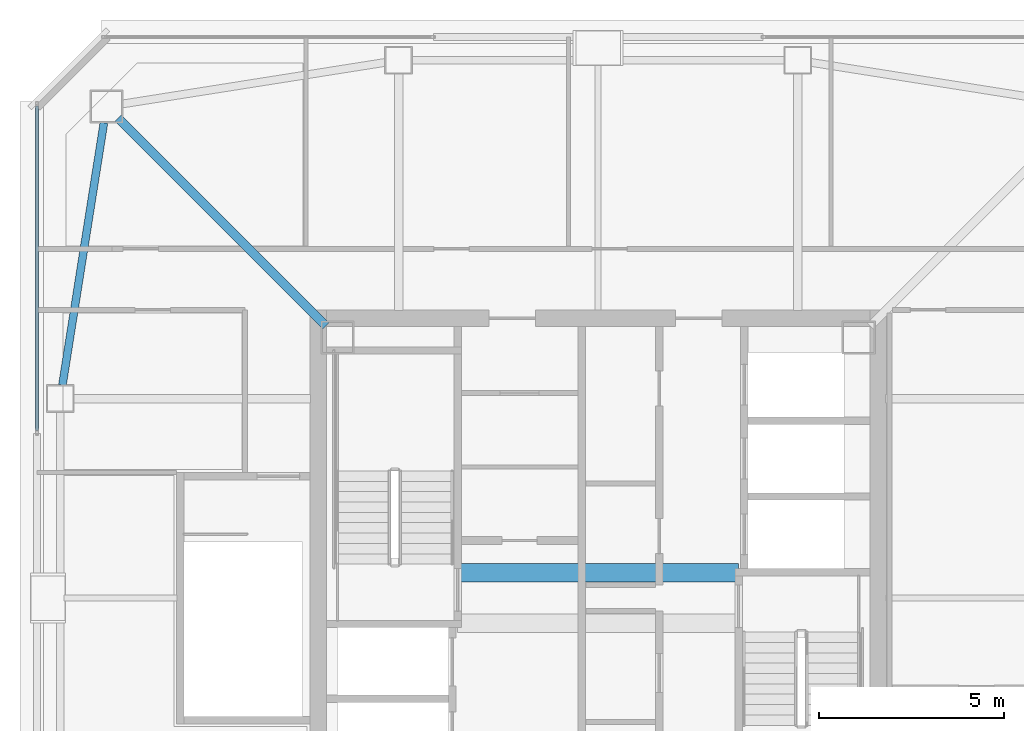
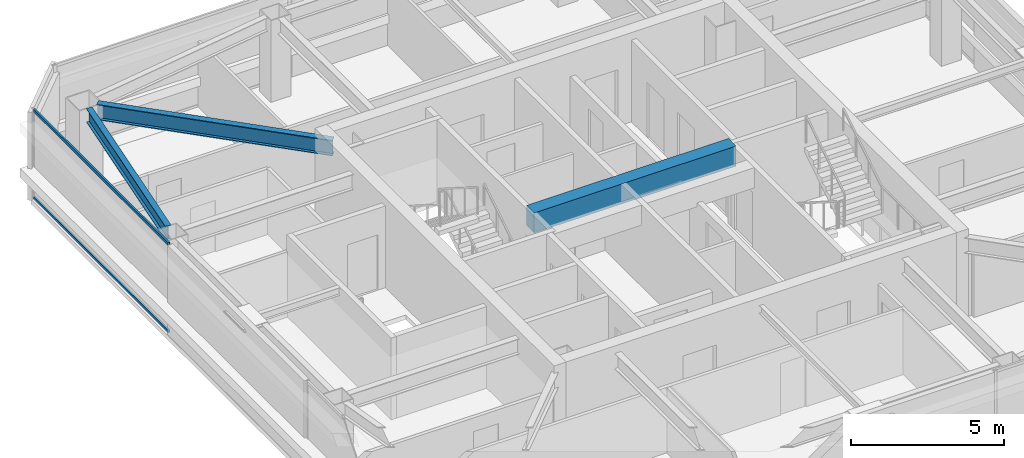
# One storey, part 9 of 18: 3 beams, 2 members, 1 element without a shape of its own.
"""IFC4 building model written with IfcOpenShell, lengths in metres."""

import ifcopenshell
import ifcopenshell.guid

model = None  # the IFC model being written
_history = None  # IfcOwnerHistory: only IFC2X3 demands one
_inside = {}  # id of a spatial element -> (the spatial element, [elements in it])
_under = {}  # id of a project, library or spatial element -> (it, [spatial elements below it])
_declared = {}  # id of a project -> (the project, [libraries it declares])
_typed = {}  # id of a type object -> (the type object, [elements of that type])
_made_of = {}  # id of a material, layer set ... -> (it, [elements and type objects made of it])


def new_model(schema):
    """Start an empty IFC model of exactly this schema.

    Asked for "IFC4X3", IfcOpenShell would pick the latest addendum, in which some entities
    have other attributes; the version numbers below select the first issue.
    IFC2X3 requires an IfcOwnerHistory on every rooted entity: one is made here for all.
    """
    global model, _history
    if schema == "IFC4X3":
        model = ifcopenshell.file(schema_version=(4, 3, 0, 0))
    else:
        model = ifcopenshell.file(schema=schema)
    _inside.clear()
    _under.clear()
    _declared.clear()
    _typed.clear()
    _made_of.clear()
    _history = None
    if model.schema == "IFC2X3":
        org = make("IfcOrganization", Name="unknown")
        user = make(
            "IfcPersonAndOrganization",
            ThePerson=make("IfcPerson", FamilyName="unknown"),
            TheOrganization=org,
        )
        app = make(
            "IfcApplication",
            ApplicationDeveloper=org,
            Version="unknown",
            ApplicationFullName="unknown",
            ApplicationIdentifier="unknown",
        )
        _history = make(
            "IfcOwnerHistory",
            OwningUser=user,
            OwningApplication=app,
            ChangeAction="ADDED",
            CreationDate=0,
        )
    return model


def make(cls, **values):
    """One entity of the class cls with the attributes given. An attribute that is None is left unset."""
    return model.create_entity(
        cls, **{name: value for name, value in values.items() if value is not None}
    )


def rooted(cls, **values):
    """An entity with a GlobalId (a new one), such as an element, a storey or a relation."""
    return make(cls, GlobalId=ifcopenshell.guid.new(), OwnerHistory=_history, **values)


def si_unit(unit_type, name, prefix=None):
    """IfcSIUnit, for example si_unit("LENGTHUNIT", "METRE", prefix="MILLI")."""
    return make("IfcSIUnit", UnitType=unit_type, Prefix=prefix, Name=name)


def assignment(units):
    """IfcUnitAssignment: the units of a project."""
    return None if units is None else make("IfcUnitAssignment", Units=units)


def point(xyz):
    """IfcCartesianPoint."""
    return None if xyz is None else make("IfcCartesianPoint", Coordinates=xyz)


def direction(xyz):
    """IfcDirection."""
    return None if xyz is None else make("IfcDirection", DirectionRatios=xyz)


def frame(location, z_axis=None, x_axis=None):
    """IfcAxis2Placement3D, a coordinate frame: its origin and axes. An axis left out is left unset."""
    return make(
        "IfcAxis2Placement3D",
        Location=point(location),
        Axis=direction(z_axis),
        RefDirection=direction(x_axis),
    )


def frame_2d(location, x_axis=None):
    """IfcAxis2Placement2D, a coordinate frame in the plane: its origin and x axis."""
    return make(
        "IfcAxis2Placement2D", Location=point(location), RefDirection=direction(x_axis)
    )


def origin():
    """The frame at (0, 0, 0) with its axes left unset."""
    return frame((0.0, 0.0, 0.0))


def origin_2d():
    """The frame at (0, 0) in the plane with its x axis left unset."""
    return frame_2d((0.0, 0.0))


def place(relative_to, where):
    """IfcLocalPlacement: puts the frame where relative to a parent placement (None: the world)."""
    return make(
        "IfcLocalPlacement", PlacementRelTo=relative_to, RelativePlacement=where
    )


def context(
    kind, dimensions, precision=None, world=None, true_north=None, identifier=None
):
    """IfcGeometricRepresentationContext, for example the 3D "Model" context."""
    return make(
        "IfcGeometricRepresentationContext",
        ContextIdentifier=identifier,
        ContextType=kind,
        CoordinateSpaceDimension=dimensions,
        Precision=precision,
        WorldCoordinateSystem=world,
        TrueNorth=true_north,
    )


def subcontext(parent, identifier, kind, view, scale=None):
    """IfcGeometricRepresentationSubContext, for example "Body" below "Model"."""
    return make(
        "IfcGeometricRepresentationSubContext",
        ContextIdentifier=identifier,
        ContextType=kind,
        ParentContext=parent,
        TargetScale=scale,
        TargetView=view,
    )


def project(units=None, contexts=None):
    """IfcProject with its units and contexts."""
    return rooted(
        "IfcProject",
        Name="project",
        RepresentationContexts=contexts,
        UnitsInContext=assignment(units),
    )


def spatial(cls, under=None, at=None, **own):
    """A site, building, storey or space (cls), placed at a placement, below another one or the project."""
    s = rooted(cls, ObjectPlacement=at, **own)
    if under is not None:
        _under.setdefault(under.id(), (under, []))[1].append(s)
    return s


def profile(cls, at=None, kind="AREA", **sizes):
    """A parametric profile (cls). Its sizes go by their IFC names, for example OverallWidth=200.0."""
    return make(cls, ProfileType=kind, Position=at, **sizes)


def rectangle(**sizes):
    """IfcRectangleProfileDef."""
    return profile("IfcRectangleProfileDef", **sizes)


def hollow_rectangle(**sizes):
    """IfcRectangleHollowProfileDef."""
    return profile("IfcRectangleHollowProfileDef", **sizes)


def i_section(**sizes):
    """IfcIShapeProfileDef."""
    return profile("IfcIShapeProfileDef", **sizes)


def extrude(swept, where, along, depth):
    """IfcExtrudedAreaSolid: the profile swept, set in the frame where, extruded along a direction by depth."""
    return make(
        "IfcExtrudedAreaSolid",
        SweptArea=swept,
        Position=where,
        ExtrudedDirection=direction(along),
        Depth=depth,
    )


def shape(context_of_items, identifier, shape_type, items):
    """IfcShapeRepresentation: the items that make up one representation, for example the "Body"."""
    return make(
        "IfcShapeRepresentation",
        ContextOfItems=context_of_items,
        RepresentationIdentifier=identifier,
        RepresentationType=shape_type,
        Items=items,
    )


def material(Name=None, Category=None):
    """IfcMaterial."""
    return make("IfcMaterial", Name=Name, Category=Category)


def material_profile(
    of_material, cross_section, Name=None, Category=None, Priority=None
):
    """IfcMaterialProfile: a cross section and its material."""
    return make(
        "IfcMaterialProfile",
        Name=Name,
        Material=of_material,
        Profile=cross_section,
        Priority=Priority,
        Category=Category,
    )


def profile_set(profiles, Name=None, composite=None):
    """IfcMaterialProfileSet."""
    return make(
        "IfcMaterialProfileSet",
        Name=Name,
        MaterialProfiles=profiles,
        CompositeProfile=composite,
    )


def made_of(thing, what):
    """Note that an element or type object is made of a material, layer set ...; save() writes the relation."""
    if what is not None:
        _made_of.setdefault(what.id(), (what, []))[1].append(thing)
    return thing


def type_object(cls, material=None, **own):
    """A type object (cls), such as IfcWallType, which elements share."""
    return made_of(rooted(cls, **own), material)


def element(
    cls,
    number,
    at=None,
    inside=None,
    cuts=None,
    type_object=None,
    material=None,
    context=None,
    identifier="Body",
    shape_type=None,
    held_by="IfcProductDefinitionShape",
    body=None,
    shapes=None,
    **own,
):
    """One element of the class cls, such as IfcWall. Its Tag is "e" and its number.

    at: its placement. inside: the storey or other place that contains it. cuts: it is an
    opening in that element (IfcRelVoidsElement). A single representation is given by context,
    identifier, shape_type and body (its items); several are given by shapes. held_by: the class
    of the entity that holds the representations. save() writes the other relations.
    """
    e = rooted(cls, Tag="e%d" % number, ObjectPlacement=at, **own)
    if body is not None:
        shapes = [shape(context, identifier, shape_type, body)]
    if shapes is not None:
        e.Representation = make(held_by, Representations=shapes)
    if inside is not None:
        _inside.setdefault(inside.id(), (inside, []))[1].append(e)
    if cuts is not None:
        rooted(
            "IfcRelVoidsElement", RelatingBuildingElement=cuts, RelatedOpeningElement=e
        )
    if type_object is not None:
        _typed.setdefault(type_object.id(), (type_object, []))[1].append(e)
    return made_of(e, material)


def aggregate(whole, parts):
    """IfcRelAggregates: a whole, such as a stair, and the parts it consists of."""
    return rooted("IfcRelAggregates", RelatingObject=whole, RelatedObjects=parts)


def save(model, path):
    """Write the relations noted so far, then the file.

    IfcRelAggregates (storeys below a building ...), IfcRelContainedInSpatialStructure (elements
    in a storey), IfcRelDefinesByType, IfcRelAssociatesMaterial and IfcRelDeclares: one each for
    every whole, place, type object, material and project.
    """
    for whole, parts in _under.values():
        aggregate(whole, parts)
    for where, things in _inside.values():
        rooted(
            "IfcRelContainedInSpatialStructure",
            RelatedElements=things,
            RelatingStructure=where,
        )
    for kind, things in _typed.values():
        rooted("IfcRelDefinesByType", RelatedObjects=things, RelatingType=kind)
    for what, things in _made_of.values():
        rooted("IfcRelAssociatesMaterial", RelatedObjects=things, RelatingMaterial=what)
    for by, libraries in _declared.values():
        rooted("IfcRelDeclares", RelatingContext=by, RelatedDefinitions=libraries)
    model.write(path)


model = new_model("IFC4")

# Units and contexts
model_context = context("Model", 3, precision=1e-05, world=origin(), true_north=direction((0.0, 1.0)))
body_context = subcontext(model_context, "Body", "Model", "MODEL_VIEW")
ifc_project = project(units=[si_unit("LENGTHUNIT", "METRE"), si_unit("AREAUNIT", "SQUARE_METRE"), si_unit("VOLUMEUNIT", "CUBIC_METRE"), si_unit("PLANEANGLEUNIT", "RADIAN"), si_unit("MASSUNIT", "GRAM", prefix="KILO")], contexts=[model_context])

# Site, building, storey
site_placement = place(None, origin())
site = spatial("IfcSite", under=ifc_project, at=site_placement, CompositionType="ELEMENT")
building_placement = place(site_placement, origin())
building = spatial("IfcBuilding", under=site, at=building_placement, Name="Tashvorn Skyway Center", CompositionType="ELEMENT")
storey_placement = place(building_placement, frame((0.0, 0.0, 274.050048828125)))
storey = spatial("IfcBuildingStorey", under=building, at=storey_placement, Name="L74", CompositionType="ELEMENT", Elevation=274.050048828125)

# Beams
ifc_material_1 = material(Name="Steel ASTM A992 Grade 50", Category="steel")
ifc_material_profile_1 = material_profile(ifc_material_1, i_section(OverallWidth=0.22998046875, OverallDepth=0.616943359375, WebThickness=0.01318359375, FlangeThickness=0.022216796875, at=origin_2d()), Name="W24X94")
ifc_profile_set_1 = profile_set([ifc_material_profile_1], Name="Steel ASTM A992 Grade 50")
beam_type_1 = type_object("IfcBeamType", Name="BM-BEAM-W24X94", PredefinedType="BEAM", material=ifc_profile_set_1)
beam_1_placement = place(storey_placement, frame((29.0146484375, 44.9853515625, 2.94140625), z_axis=(0.707106781187, -0.707106781187, 0.0), x_axis=(0.707106781187, 0.707106781187, 0.0)))
element("IfcBeam", 1, at=beam_1_placement, inside=storey, type_object=beam_type_1, Name="Tower 1 L74 Primary Floor Girder MC-NW", PredefinedType="BEAM", context=body_context, shape_type="SweptSolid", body=[
    extrude(i_section(OverallWidth=0.22998046875, OverallDepth=0.616943359375, WebThickness=0.01318359375, FlangeThickness=0.022216796875, at=origin_2d()), origin(), (0.0, 0.0, 1.0), 7.94873046875),
])
ifc_material_2 = material(Name="Concrete C50/60", Category="concrete")
ifc_material_profile_2 = material_profile(ifc_material_2, rectangle(XDim=0.5, YDim=0.800048828125, at=origin_2d()), Name="RCB500x800")
ifc_profile_set_2 = profile_set([ifc_material_profile_2], Name="Concrete C50/60")
beam_type_2 = type_object("IfcBeamType", Name="BM-LINTEL-RCB500x800", PredefinedType="LINTEL", material=ifc_profile_set_2)
beam_2_placement = place(storey_placement, frame((38.199951171875, 32.679931640625, 2.849853515625), z_axis=(1.0, 0.0, 0.0), x_axis=(0.0, 1.0, 0.0)))
element("IfcBeam", 2, at=beam_2_placement, inside=storey, type_object=beam_type_2, Name="Tower 1 L74 Core Coupling Beam CN", PredefinedType="LINTEL", context=body_context, shape_type="SweptSolid", body=[
    extrude(rectangle(XDim=0.5, YDim=0.800048828125, at=origin_2d()), origin(), (0.0, 0.0, 1.0), 7.60009765625),
])
ifc_material_profile_3 = material_profile(ifc_material_1, i_section(OverallWidth=0.2109375, OverallDepth=0.5390625, WebThickness=0.01171875, FlangeThickness=0.018798828125, at=origin_2d()), Name="W21X73")
ifc_profile_set_3 = profile_set([ifc_material_profile_3], Name="Steel ASTM A992 Grade 50")
beam_type_3 = type_object("IfcBeamType", Name="BM-SPANDREL-W21X73", PredefinedType="SPANDREL", material=ifc_profile_set_3)
beam_3_placement = place(storey_placement, frame((28.63037109375, 44.8603515625, 2.98046875), z_axis=(-0.156274976, -0.987713587978, 0.0), x_axis=(0.987713587978, -0.156274976, 0.0)))
element("IfcBeam", 3, at=beam_3_placement, inside=storey, type_object=beam_type_3, Name="Tower 1 L74 Spandrel Beam 10", PredefinedType="SPANDREL", context=body_context, shape_type="SweptSolid", body=[
    extrude(i_section(OverallWidth=0.2109375, OverallDepth=0.5390625, WebThickness=0.01171875, FlangeThickness=0.018798828125, at=origin_2d()), origin(), (0.0, 0.0, 1.0), 7.18310546875),
])

# Curtain wall, members
ifc_material_3 = material(Name="Thermally broken bronze-anodized aluminium 6063-T6", Category="aluminium")
curtain_wall_type = type_object("IfcCurtainWallType", Name="CW-CW-Z5", PredefinedType="NOTDEFINED", material=ifc_material_3)
curtain_wall_placement = place(storey_placement, origin())
curtain_wall = element("IfcCurtainWall", 4, at=curtain_wall_placement, inside=storey, type_object=curtain_wall_type, Name="Tower 1 L74 West Unitised Curtain Wall Glazing Group 2", PredefinedType="NOTDEFINED")
ifc_material_profile_4 = material_profile(ifc_material_3, hollow_rectangle(XDim=0.070068359375, YDim=0.114990234375, WallThickness=0.00390625, at=origin_2d()), Name="ALU-TRAN-70x115")
ifc_profile_set_4 = profile_set([ifc_material_profile_4], Name="Thermally broken bronze-anodized aluminium 6063-T6")
member_type = type_object("IfcMemberType", Name="CWT-CW-Z5", PredefinedType="USERDEFINED", material=ifc_profile_set_4)
member_1_placement = place(storey_placement, frame((26.820068359375, 36.530029296875, 0.034912109375), z_axis=(0.0, 1.0, 0.0), x_axis=(-1.0, 0.0, 0.0)))
member_1 = element("IfcMember", 5, at=member_1_placement, type_object=member_type, Name="CW-Z5 transom 1.1", ObjectType="TRANSOM", PredefinedType="USERDEFINED", context=body_context, shape_type="SweptSolid", body=[
    extrude(hollow_rectangle(XDim=0.070068359375, YDim=0.114990234375, WallThickness=0.00390625, at=origin_2d()), origin(), (0.0, 0.0, 1.0), 8.780029296875),
])
member_2_placement = place(storey_placement, frame((26.820068359375, 36.530029296875, 3.514892578125), z_axis=(0.0, 1.0, 0.0), x_axis=(-1.0, 0.0, 0.0)))
member_2 = element("IfcMember", 6, at=member_2_placement, type_object=member_type, Name="CW-Z5 transom 1.2", ObjectType="TRANSOM", PredefinedType="USERDEFINED", context=body_context, shape_type="SweptSolid", body=[
    extrude(hollow_rectangle(XDim=0.070068359375, YDim=0.114990234375, WallThickness=0.00390625, at=origin_2d()), origin(), (0.0, 0.0, 1.0), 8.780029296875),
])
aggregate(curtain_wall, [member_1, member_2])

save(model, "model.ifc")
